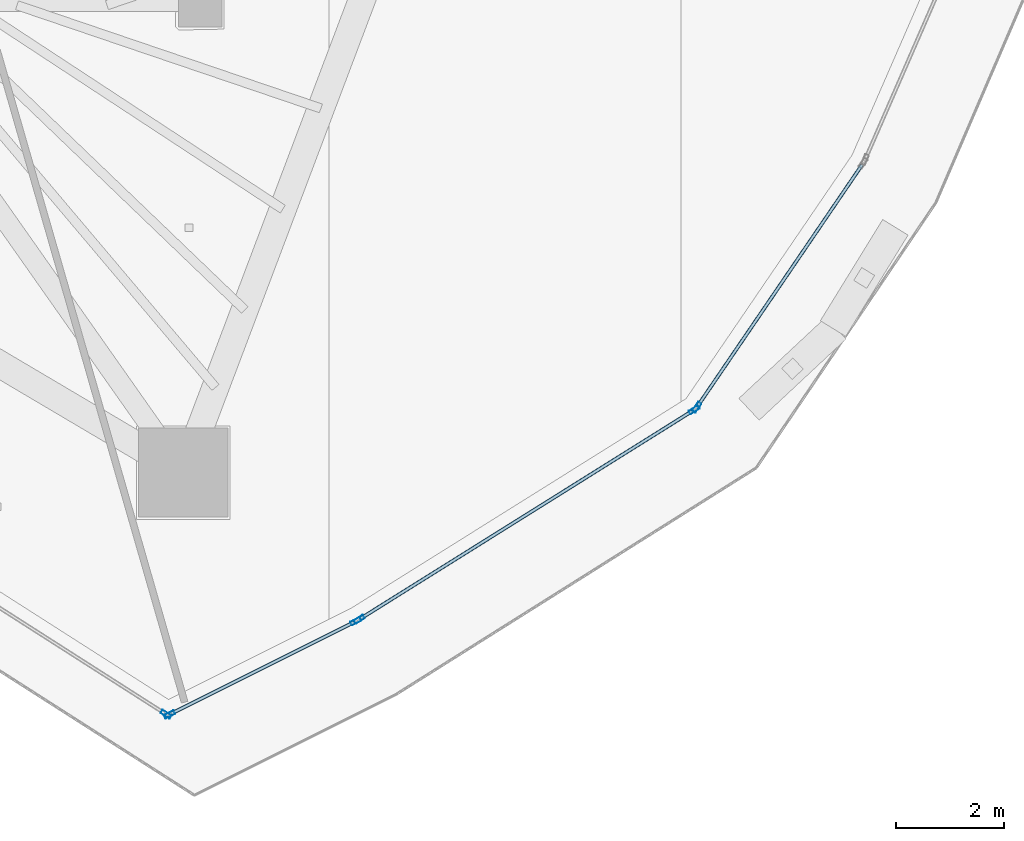
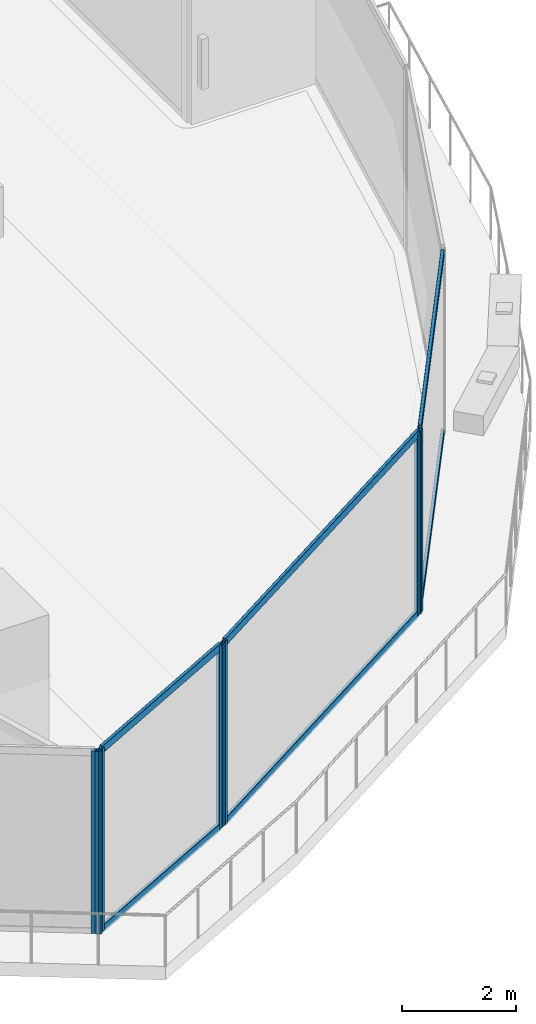
# One storey, part 7 of 31: 12 members, 4 elements without a shape of their own.
"""IFC4 building model written with IfcOpenShell, lengths in metres."""

from ifc_helpers import new_model, si_unit, direction, frame, origin, origin_2d, place, context, subcontext, project, spatial, hollow_rectangle, extrude, material, layer, layer_set, material_profile, profile_set, type_object, element, aggregate, save


model = new_model("IFC4")

# Units and contexts
model_context = context("Model", 3, precision=1e-05, world=origin(), true_north=direction((0.0, 1.0)))
body_context = subcontext(model_context, "Body", "Model", "MODEL_VIEW")
ifc_project = project(units=[si_unit("LENGTHUNIT", "METRE"), si_unit("AREAUNIT", "SQUARE_METRE"), si_unit("VOLUMEUNIT", "CUBIC_METRE"), si_unit("PLANEANGLEUNIT", "RADIAN"), si_unit("MASSUNIT", "GRAM", prefix="KILO")], contexts=[model_context])

# Site, building, storey
site_placement = place(None, origin())
site = spatial("IfcSite", under=ifc_project, at=site_placement, CompositionType="ELEMENT")
building_placement = place(site_placement, origin())
building = spatial("IfcBuilding", under=site, at=building_placement, Name="Qorvath Tower", CompositionType="ELEMENT")
storey_placement = place(building_placement, frame((0.0, 0.0, 259.800048828125)))
storey = spatial("IfcBuildingStorey", under=building, at=storey_placement, Name="L60", CompositionType="ELEMENT", Elevation=259.800048828125)

# Curtain wall, member
ifc_material_1 = material(Name="Anodised aluminium and triple low-E glass", Category="aluminium")
ifc_layer = layer(ifc_material_1, 0.179931640625)
ifc_layer_set = layer_set([ifc_layer], Name="CW-SYS-4")
curtain_wall_type = type_object("IfcCurtainWallType", Name="CW-SYS-4", PredefinedType="NOTDEFINED", material=ifc_layer_set)
curtain_wall_1_placement = place(storey_placement, origin())
curtain_wall_1 = element("IfcCurtainWall", 1, at=curtain_wall_1_placement, inside=storey, type_object=curtain_wall_type, Name="Curtain Wall CW-4 CW-T-L60-2.2", PredefinedType="NOTDEFINED")
ifc_material_2 = material(Name="Anodised aluminium 6063-T6", Category="aluminium")
ifc_material_profile_1 = material_profile(ifc_material_2, hollow_rectangle(XDim=0.074951171875, YDim=0.199951171875, WallThickness=0.00390625, InnerFilletRadius=0.00390625, OuterFilletRadius=0.008056640625, at=origin_2d()), Name="CWM 200x75")
ifc_profile_set_1 = profile_set([ifc_material_profile_1], Name="Anodised aluminium 6063-T6")
member_type_1 = type_object("IfcMemberType", Name="CWM-200", PredefinedType="MULLION", material=ifc_profile_set_1)
member_1_placement = place(storey_placement, frame((-17.833984375, -24.572509765625, 0.0), z_axis=(0.0, 0.0, 1.0), x_axis=(0.538536275061, 0.842602326393, 0.0)))
member_1 = element("IfcMember", 2, at=member_1_placement, type_object=member_type_1, Name="CW-4 mullion 5", PredefinedType="MULLION", context=body_context, shape_type="SweptSolid", body=[
    extrude(hollow_rectangle(XDim=0.074951171875, YDim=0.199951171875, WallThickness=0.00390625, InnerFilletRadius=0.00390625, OuterFilletRadius=0.008056640625, at=origin_2d()), origin(), (0.0, 0.0, 1.0), 3.909912109375),
])
aggregate(curtain_wall_1, [member_1])

# Curtain wall, members
curtain_wall_2_placement = place(storey_placement, origin())
curtain_wall_2 = element("IfcCurtainWall", 3, at=curtain_wall_2_placement, inside=storey, type_object=curtain_wall_type, Name="Curtain Wall CW-4 CW-T-L60-3.1", PredefinedType="NOTDEFINED")
member_2_placement = place(storey_placement, frame((-17.76904296875, -24.575927734375, 0.0), z_axis=(0.0, 0.0, 1.0), x_axis=(-0.447193229071, 0.894437373924, 0.0)))
member_2 = element("IfcMember", 4, at=member_2_placement, type_object=member_type_1, Name="CW-4 mullion 1", PredefinedType="MULLION", context=body_context, shape_type="SweptSolid", body=[
    extrude(hollow_rectangle(XDim=0.074951171875, YDim=0.199951171875, WallThickness=0.00390625, InnerFilletRadius=0.00390625, OuterFilletRadius=0.008056640625, at=origin_2d()), origin(), (0.0, 0.0, 1.0), 3.909912109375),
])
member_3_placement = place(storey_placement, frame((-14.32275390625, -22.85302734375, 0.0), z_axis=(0.0, 0.0, 1.0), x_axis=(-0.447193229071, 0.894437373924, 0.0)))
member_3 = element("IfcMember", 5, at=member_3_placement, type_object=member_type_1, Name="CW-4 mullion 2", PredefinedType="MULLION", context=body_context, shape_type="SweptSolid", body=[
    extrude(hollow_rectangle(XDim=0.074951171875, YDim=0.199951171875, WallThickness=0.00390625, InnerFilletRadius=0.00390625, OuterFilletRadius=0.008056640625, at=origin_2d()), origin(), (0.0, 0.0, 1.0), 3.909912109375),
])

curtain_wall_3_placement = place(storey_placement, origin())
curtain_wall_3 = element("IfcCurtainWall", 6, at=curtain_wall_3_placement, inside=storey, type_object=curtain_wall_type, Name="Curtain Wall CW-4 CW-T-L60-4.1", PredefinedType="NOTDEFINED")
member_4_placement = place(storey_placement, frame((-14.25732421875, -22.81640625, 0.0), z_axis=(0.0, 0.0, 1.0), x_axis=(-0.530411579376, 0.847740264741, 0.0)))
member_4 = element("IfcMember", 7, at=member_4_placement, type_object=member_type_1, Name="CW-4 mullion 1", PredefinedType="MULLION", context=body_context, shape_type="SweptSolid", body=[
    extrude(hollow_rectangle(XDim=0.074951171875, YDim=0.199951171875, WallThickness=0.00390625, InnerFilletRadius=0.00390625, OuterFilletRadius=0.008056640625, at=origin_2d()), origin(), (0.0, 0.0, 1.0), 3.909912109375),
])
member_5_placement = place(storey_placement, frame((-8.0615234375, -18.939697265625, 0.0), z_axis=(0.0, 0.0, 1.0), x_axis=(-0.530411579376, 0.847740264741, 0.0)))
member_5 = element("IfcMember", 8, at=member_5_placement, type_object=member_type_1, Name="CW-4 mullion 2", PredefinedType="MULLION", context=body_context, shape_type="SweptSolid", body=[
    extrude(hollow_rectangle(XDim=0.074951171875, YDim=0.199951171875, WallThickness=0.00390625, InnerFilletRadius=0.00390625, OuterFilletRadius=0.008056640625, at=origin_2d()), origin(), (0.0, 0.0, 1.0), 3.909912109375),
])

# Curtain wall, member
curtain_wall_4_placement = place(storey_placement, origin())
curtain_wall_4 = element("IfcCurtainWall", 9, at=curtain_wall_4_placement, inside=storey, type_object=curtain_wall_type, Name="Curtain Wall CW-4 CW-T-L60-5.1", PredefinedType="NOTDEFINED")
member_6_placement = place(storey_placement, frame((-8.0087890625, -18.888916015625, 0.0), z_axis=(0.0, 0.0, 1.0), x_axis=(-0.826358006639, 0.563145136589, 0.0)))
member_6 = element("IfcMember", 10, at=member_6_placement, type_object=member_type_1, Name="CW-4 mullion 1", PredefinedType="MULLION", context=body_context, shape_type="SweptSolid", body=[
    extrude(hollow_rectangle(XDim=0.074951171875, YDim=0.199951171875, WallThickness=0.00390625, InnerFilletRadius=0.00390625, OuterFilletRadius=0.008056640625, at=origin_2d()), origin(), (0.0, 0.0, 1.0), 3.909912109375),
])

# Member
ifc_material_3 = material(Name="Anodised aluminium 6063-T6", Category="aluminium")
ifc_material_profile_2 = material_profile(ifc_material_3, hollow_rectangle(XDim=0.06494140625, YDim=0.159912109375, WallThickness=0.00341796875, InnerFilletRadius=0.00341796875, OuterFilletRadius=0.007080078125, at=origin_2d()), Name="CWT 160x65")
ifc_profile_set_2 = profile_set([ifc_material_profile_2], Name="Anodised aluminium 6063-T6")
member_type_2 = type_object("IfcMemberType", Name="CWT-160", PredefinedType="USERDEFINED", material=ifc_profile_set_2)
member_7_placement = place(storey_placement, frame((-17.7353515625, -24.559326171875, 0.032470703125), z_axis=(0.894414266499, 0.447239443569, 0.0), x_axis=(-0.447239443569, 0.894414266499, 0.0)))
member_7 = element("IfcMember", 11, at=member_7_placement, type_object=member_type_2, Name="CW-4 transom 1.1", ObjectType="TRANSOM", PredefinedType="USERDEFINED", context=body_context, shape_type="SweptSolid", body=[
    extrude(hollow_rectangle(XDim=0.06494140625, YDim=0.159912109375, WallThickness=0.00341796875, InnerFilletRadius=0.00341796875, OuterFilletRadius=0.007080078125, at=origin_2d()), origin(), (0.0, 0.0, 1.0), 3.778076171875),
])

member_8_placement = place(storey_placement, frame((-17.7353515625, -24.559326171875, 3.87744140625), z_axis=(0.894414266499, 0.447239443569, 0.0), x_axis=(-0.447239443569, 0.894414266499, 0.0)))
member_8 = element("IfcMember", 12, at=member_8_placement, type_object=member_type_2, Name="CW-4 transom 1.2", ObjectType="TRANSOM", PredefinedType="USERDEFINED", context=body_context, shape_type="SweptSolid", body=[
    extrude(hollow_rectangle(XDim=0.06494140625, YDim=0.159912109375, WallThickness=0.00341796875, InnerFilletRadius=0.00341796875, OuterFilletRadius=0.007080078125, at=origin_2d()), origin(), (0.0, 0.0, 1.0), 3.778076171875),
])

aggregate(curtain_wall_2, [member_2, member_3, member_7, member_8])

member_9_placement = place(storey_placement, frame((-14.2255859375, -22.79638671875, 0.032470703125), z_axis=(0.847751717941, 0.530393273646, 0.0), x_axis=(-0.530393273646, 0.847751717941, 0.0)))
member_9 = element("IfcMember", 13, at=member_9_placement, type_object=member_type_2, Name="CW-4 transom 1.1", ObjectType="TRANSOM", PredefinedType="USERDEFINED", context=body_context, shape_type="SweptSolid", body=[
    extrude(hollow_rectangle(XDim=0.06494140625, YDim=0.159912109375, WallThickness=0.00341796875, InnerFilletRadius=0.00341796875, OuterFilletRadius=0.007080078125, at=origin_2d()), origin(), (0.0, 0.0, 1.0), 7.233642578125),
])

member_10_placement = place(storey_placement, frame((-14.2255859375, -22.79638671875, 3.87744140625), z_axis=(0.847751717941, 0.530393273646, 0.0), x_axis=(-0.530393273646, 0.847751717941, 0.0)))
member_10 = element("IfcMember", 14, at=member_10_placement, type_object=member_type_2, Name="CW-4 transom 1.2", ObjectType="TRANSOM", PredefinedType="USERDEFINED", context=body_context, shape_type="SweptSolid", body=[
    extrude(hollow_rectangle(XDim=0.06494140625, YDim=0.159912109375, WallThickness=0.00341796875, InnerFilletRadius=0.00341796875, OuterFilletRadius=0.007080078125, at=origin_2d()), origin(), (0.0, 0.0, 1.0), 7.233642578125),
])

aggregate(curtain_wall_3, [member_4, member_5, member_9, member_10])

member_11_placement = place(storey_placement, frame((-7.987548828125, -18.85791015625, 0.032470703125), z_axis=(0.563153979545, 0.826351980286, 0.0), x_axis=(-0.826351980286, 0.563153979545, 0.0)))
member_11 = element("IfcMember", 15, at=member_11_placement, type_object=member_type_2, Name="CW-4 transom 1.1", ObjectType="TRANSOM", PredefinedType="USERDEFINED", context=body_context, shape_type="SweptSolid", body=[
    extrude(hollow_rectangle(XDim=0.06494140625, YDim=0.159912109375, WallThickness=0.00341796875, InnerFilletRadius=0.00341796875, OuterFilletRadius=0.007080078125, at=origin_2d()), origin(), (0.0, 0.0, 1.0), 5.386474609375),
])

member_12_placement = place(storey_placement, frame((-7.987548828125, -18.85791015625, 3.87744140625), z_axis=(0.563153979545, 0.826351980286, 0.0), x_axis=(-0.826351980286, 0.563153979545, 0.0)))
member_12 = element("IfcMember", 16, at=member_12_placement, type_object=member_type_2, Name="CW-4 transom 1.2", ObjectType="TRANSOM", PredefinedType="USERDEFINED", context=body_context, shape_type="SweptSolid", body=[
    extrude(hollow_rectangle(XDim=0.06494140625, YDim=0.159912109375, WallThickness=0.00341796875, InnerFilletRadius=0.00341796875, OuterFilletRadius=0.007080078125, at=origin_2d()), origin(), (0.0, 0.0, 1.0), 5.386474609375),
])

aggregate(curtain_wall_4, [member_6, member_11, member_12])

save(model, "model.ifc")
